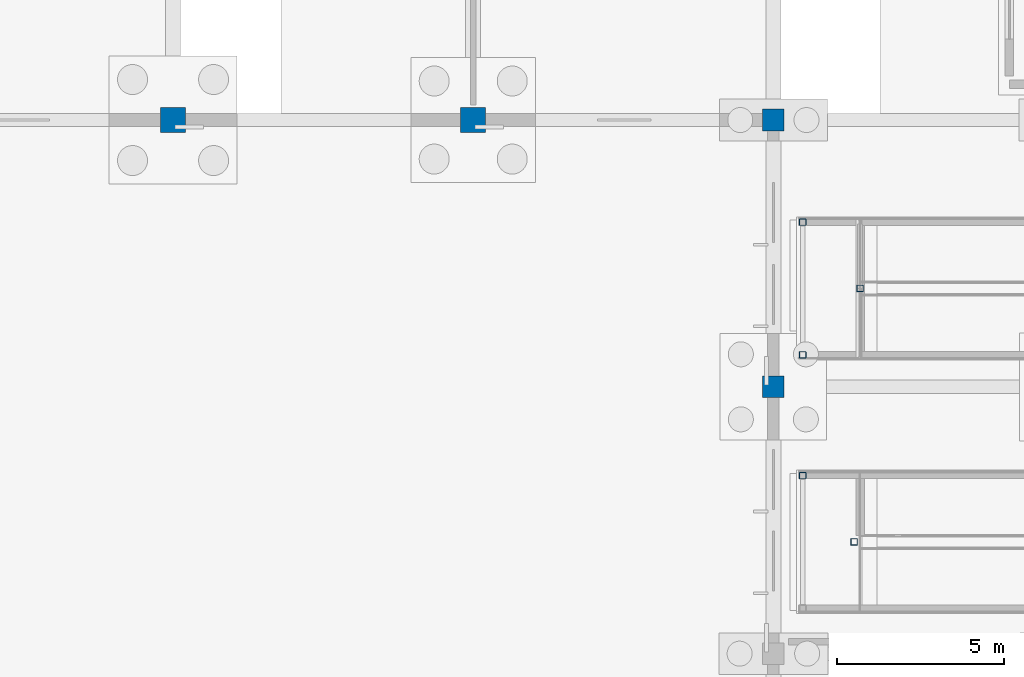
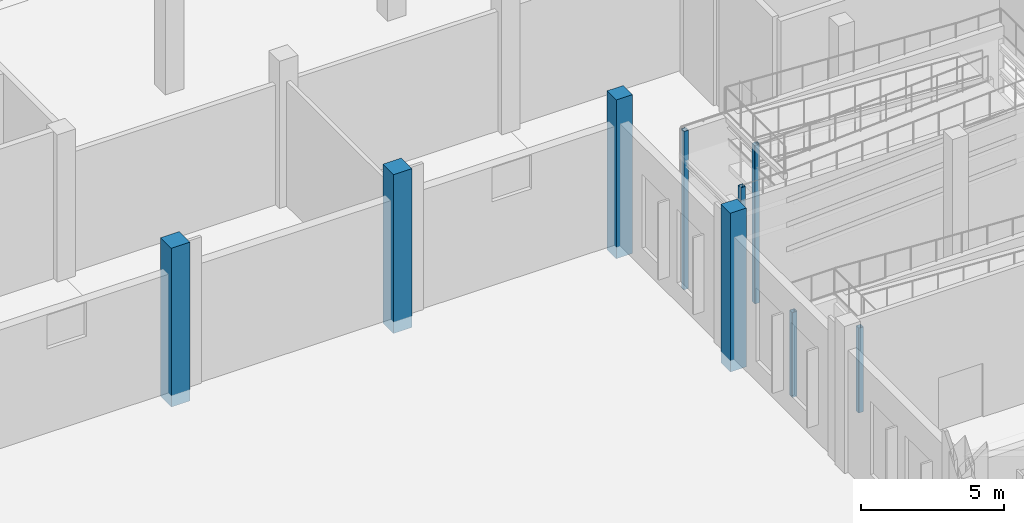
# One storey, part 25 of 99: 9 columns.
"""IFC4 building model written with IfcOpenShell, lengths in metres."""

from ifc_helpers import new_model, si_unit, direction, frame, origin, origin_2d, place, context, subcontext, project, spatial, rectangle, hollow_rectangle, extrude, material, material_profile, profile_set, type_object, element, save


model = new_model("IFC4")

# Units and contexts
model_context = context("Model", 3, precision=1e-05, world=origin(), true_north=direction((0.0, 1.0)))
body_context = subcontext(model_context, "Body", "Model", "MODEL_VIEW")
ifc_project = project(units=[si_unit("LENGTHUNIT", "METRE"), si_unit("AREAUNIT", "SQUARE_METRE"), si_unit("VOLUMEUNIT", "CUBIC_METRE"), si_unit("PLANEANGLEUNIT", "RADIAN"), si_unit("MASSUNIT", "GRAM", prefix="KILO")], contexts=[model_context])

# Site, building, storey
site_placement = place(None, origin())
site = spatial("IfcSite", under=ifc_project, at=site_placement, CompositionType="ELEMENT")
building_placement = place(site_placement, origin())
building = spatial("IfcBuilding", under=site, at=building_placement, Name="Zacnel Wholesale Market", CompositionType="ELEMENT")
storey_placement = place(building_placement, origin())
storey = spatial("IfcBuildingStorey", under=building, at=storey_placement, Name="L01", CompositionType="ELEMENT", Elevation=0.0)

# Columns
ifc_material_1 = material(Name="Precast concrete C45/55", Category="concrete")
ifc_material_profile_1 = material_profile(ifc_material_1, rectangle(XDim=0.64990234375, YDim=0.64990234375, at=origin_2d()), Name="PC 650x650")
ifc_profile_set_1 = profile_set([ifc_material_profile_1], Name="Precast concrete C45/55")
column_type_1 = type_object("IfcColumnType", Name="COL-PC650", PredefinedType="COLUMN", material=ifc_profile_set_1)
for number, where, z_axis, x_axis, name in (
    (1, (54.0, 16.0, -0.5), (0.0, 0.0, 1.0), (1.0, 0.0, 0.0), "Precast column L01-0093"),
    (2, (54.0, 24.0, -0.5), (0.0, 0.0, 1.0), (1.0, 0.0, 0.0), "Precast column L01-0094"),
):
    element("IfcColumn", number, at=place(storey_placement, frame(where, z_axis=z_axis, x_axis=x_axis)), inside=storey, type_object=column_type_1, Name=name, PredefinedType="COLUMN", context=body_context, shape_type="SweptSolid", body=[
        extrude(rectangle(XDim=0.64990234375, YDim=0.64990234375, at=origin_2d()), origin(), (0.0, 0.0, 1.0), 6.800048828125),
    ])
ifc_material_2 = material(Name="Precast concrete C45/55", Category="concrete")
ifc_material_profile_2 = material_profile(ifc_material_2, rectangle(XDim=0.75, YDim=0.75, at=origin_2d()), Name="PC 750x750")
ifc_profile_set_2 = profile_set([ifc_material_profile_2], Name="Precast concrete C45/55")
column_type_2 = type_object("IfcColumnType", Name="COL-PC750", PredefinedType="COLUMN", material=ifc_profile_set_2)
for number, where, z_axis, x_axis, name in (
    (3, (36.0, 24.0, -0.5), (0.0, 0.0, 1.0), (1.0, 0.0, 0.0), "Precast column L01-0061"),
    (4, (45.0, 24.0, -0.5), (0.0, 0.0, 1.0), (1.0, 0.0, 0.0), "Precast column L01-0076"),
):
    element("IfcColumn", number, at=place(storey_placement, frame(where, z_axis=z_axis, x_axis=x_axis)), inside=storey, type_object=column_type_2, Name=name, PredefinedType="COLUMN", context=body_context, shape_type="SweptSolid", body=[
        extrude(rectangle(XDim=0.75, YDim=0.75, at=origin_2d()), origin(), (0.0, 0.0, 1.0), 6.800048828125),
    ])
ifc_material_3 = material(Name="Steel S355", Category="steel")
ifc_material_profile_3 = material_profile(ifc_material_3, hollow_rectangle(XDim=0.199951171875, YDim=0.199951171875, WallThickness=0.010009765625, InnerFilletRadius=0.010009765625, OuterFilletRadius=0.02001953125, at=origin_2d()), Name="HSS 200x200x10")
ifc_profile_set_3 = profile_set([ifc_material_profile_3], Name="Steel S355")
column_type_3 = type_object("IfcColumnType", Name="COL-STL-HSS200", PredefinedType="COLUMN", material=ifc_profile_set_3)
for number, where, z_axis, x_axis, name in (
    (5, (56.419921875, 11.35009765625, -0.5), (0.0, 0.0, 1.0), (1.0, 0.0, 0.0), "Accessible ramp RP-03 (RMP-PROM-1A) support column 2"),
    (6, (54.8798828125, 13.340087890625, -0.5), (0.0, 0.0, 1.0), (1.0, 0.0, 0.0), "Accessible ramp RP-03 (RMP-PROM-1A) support column 3"),
):
    element("IfcColumn", number, at=place(storey_placement, frame(where, z_axis=z_axis, x_axis=x_axis)), inside=storey, type_object=column_type_3, Name=name, PredefinedType="COLUMN", context=body_context, shape_type="SweptSolid", body=[
        extrude(hollow_rectangle(XDim=0.199951171875, YDim=0.199951171875, WallThickness=0.010009765625, InnerFilletRadius=0.010009765625, OuterFilletRadius=0.02001953125, at=origin_2d()), origin(), (0.0, 0.0, 1.0), 3.6298828125),
    ])
for number, where, z_axis, x_axis, name in (
    (7, (54.8798828125, 16.9599609375, -0.5), (0.0, 0.0, 1.0), (1.0, 0.0, 0.0), "Accessible ramp RP-03 (RMP-PROM-1B) support column 1"),
    (8, (56.60009765625, 18.949951171875, -0.5), (0.0, 0.0, 1.0), (1.0, 0.0, 0.0), "Accessible ramp RP-03 (RMP-PROM-1B) support column 2"),
    (9, (54.8798828125, 20.93994140625, -0.5), (0.0, 0.0, 1.0), (1.0, 0.0, 0.0), "Accessible ramp RP-03 (RMP-PROM-1B) support column 3"),
):
    element("IfcColumn", number, at=place(storey_placement, frame(where, z_axis=z_axis, x_axis=x_axis)), inside=storey, type_object=column_type_3, Name=name, PredefinedType="COLUMN", context=body_context, shape_type="SweptSolid", body=[
        extrude(hollow_rectangle(XDim=0.199951171875, YDim=0.199951171875, WallThickness=0.010009765625, InnerFilletRadius=0.010009765625, OuterFilletRadius=0.02001953125, at=origin_2d()), origin(), (0.0, 0.0, 1.0), 6.780029296875),
    ])

save(model, "model.ifc")
